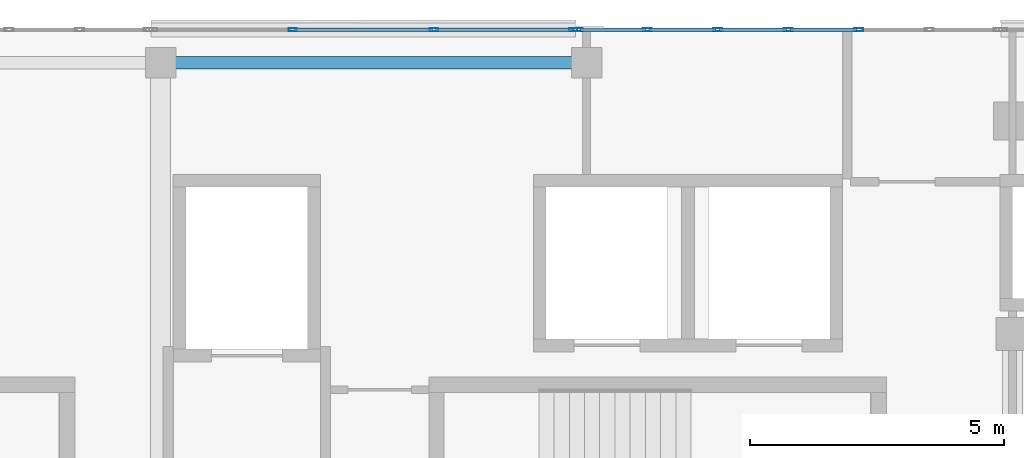
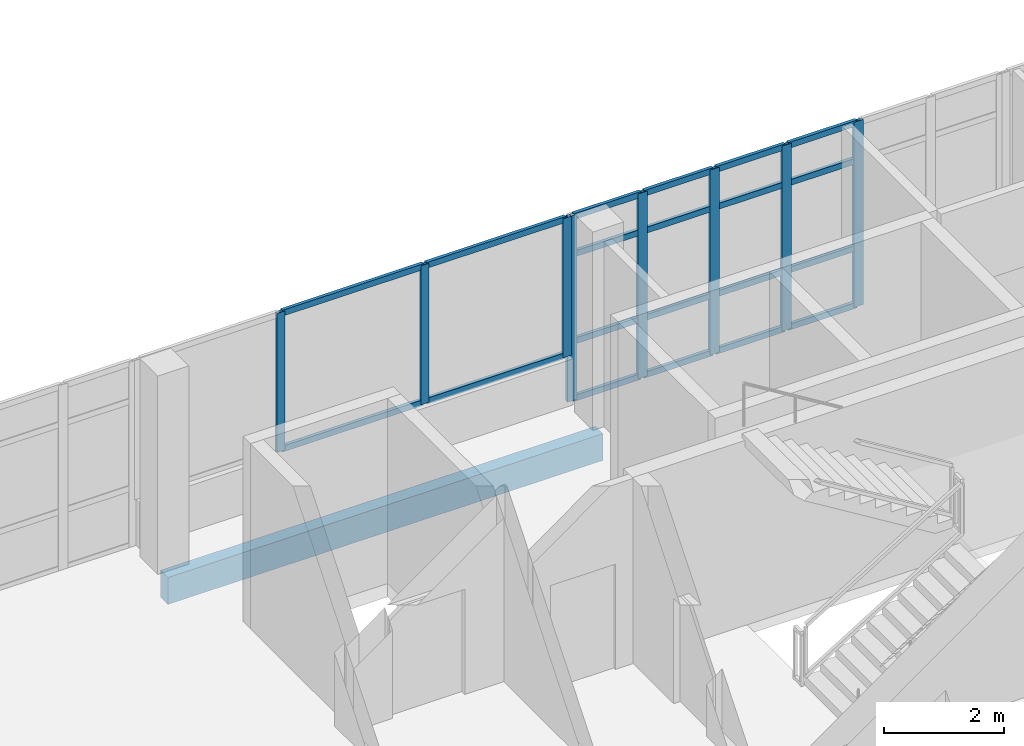
# One storey, part 39 of 76: 28 members, 1 beam, 2 elements without a shape of their own.
"""IFC4 building model written with IfcOpenShell, lengths in metres."""

from ifc_helpers import new_model, si_unit, direction, frame, origin, origin_2d, place, context, subcontext, project, spatial, rectangle, hollow_rectangle, extrude, material, material_profile, profile_set, type_object, element, aggregate, save


model = new_model("IFC4")

# Units and contexts
model_context = context("Model", 3, precision=1e-05, world=origin(), true_north=direction((0.0, 1.0)))
body_context = subcontext(model_context, "Body", "Model", "MODEL_VIEW")
ifc_project = project(units=[si_unit("LENGTHUNIT", "METRE"), si_unit("AREAUNIT", "SQUARE_METRE"), si_unit("VOLUMEUNIT", "CUBIC_METRE"), si_unit("PLANEANGLEUNIT", "RADIAN"), si_unit("MASSUNIT", "GRAM", prefix="KILO")], contexts=[model_context])

# Site, building, storey
site_placement = place(None, origin())
site = spatial("IfcSite", under=ifc_project, at=site_placement, CompositionType="ELEMENT")
building_placement = place(site_placement, origin())
building = spatial("IfcBuilding", under=site, at=building_placement, Name="Selatvlak General Hospital", CompositionType="ELEMENT")
storey_placement = place(building_placement, frame((0.0, 0.0, 27.300048828125)))
storey = spatial("IfcBuildingStorey", under=building, at=storey_placement, Name="L06", CompositionType="ELEMENT", Elevation=27.300048828125)

# Beam
ifc_material_1 = material(Name="Concrete C40/50", Category="concrete")
ifc_material_profile_1 = material_profile(ifc_material_1, rectangle(XDim=0.25, YDim=0.550048828125, at=origin_2d()), Name="RC-SP 250x550")
ifc_profile_set_1 = profile_set([ifc_material_profile_1], Name="Concrete C40/50")
beam_type = type_object("IfcBeamType", Name="BM-SP2", PredefinedType="SPANDREL", material=ifc_profile_set_1)
beam_placement = place(storey_placement, frame((98.39990234375, 119.35009765625, -0.550048828125), z_axis=(1.0, 0.0, 0.0), x_axis=(0.0, 1.0, 0.0)))
element("IfcBeam", 1, at=beam_placement, inside=storey, type_object=beam_type, Name="Beam BMR-L06-2237", PredefinedType="SPANDREL", context=body_context, shape_type="SweptSolid", body=[
    extrude(rectangle(XDim=0.25, YDim=0.550048828125, at=origin_2d()), origin(), (0.0, 0.0, 1.0), 8.400146484375),
])

# Curtain wall, members
ifc_material_2 = material(Name="Solar-control Low-E double glazing", Category="glass")
curtain_wall_type_1 = type_object("IfcCurtainWallType", Name="CW-CW-01", PredefinedType="USERDEFINED", material=ifc_material_2)
curtain_wall_1_placement = place(storey_placement, origin())
curtain_wall_1 = element("IfcCurtainWall", 2, at=curtain_wall_1_placement, inside=storey, type_object=curtain_wall_type_1, Name="Glazed facade curtain wall CW-L06-0607", ObjectType="UNITISED CURTAIN WALL", PredefinedType="USERDEFINED")
ifc_material_3 = material(Name="Dark anodised aluminium mullion", Category="aluminium")
ifc_material_profile_2 = material_profile(ifc_material_3, hollow_rectangle(XDim=0.06494140625, YDim=0.159912109375, WallThickness=0.00390625, at=origin_2d()), Name="AL-MUL 65x160x4")
ifc_profile_set_2 = profile_set([ifc_material_profile_2], Name="Dark anodised aluminium mullion")
member_type_1 = type_object("IfcMemberType", Name="CWM-01", PredefinedType="MULLION", material=ifc_profile_set_2)
member_1_placement = place(storey_placement, frame((101.008056640625, 119.999267578125, 0.93994140625), z_axis=(0.0, 0.0, 1.0), x_axis=(-0.000119774825, 0.999999992827, 0.0)))
member_1 = element("IfcMember", 3, at=member_1_placement, type_object=member_type_1, Name="CW-01 mullion 2", PredefinedType="MULLION", context=body_context, shape_type="SweptSolid", body=[
    extrude(hollow_rectangle(XDim=0.06494140625, YDim=0.159912109375, WallThickness=0.00390625, at=origin_2d()), origin(), (0.0, 0.0, 1.0), 2.840087890625),
])
member_2_placement = place(storey_placement, frame((103.791015625, 119.999755859375, 0.93994140625), z_axis=(0.0, 0.0, 1.0), x_axis=(-0.000119774825, 0.999999992827, 0.0)))
member_2 = element("IfcMember", 4, at=member_2_placement, type_object=member_type_1, Name="CW-01 mullion 3", PredefinedType="MULLION", context=body_context, shape_type="SweptSolid", body=[
    extrude(hollow_rectangle(XDim=0.06494140625, YDim=0.159912109375, WallThickness=0.00390625, at=origin_2d()), origin(), (0.0, 0.0, 1.0), 2.840087890625),
])
member_3_placement = place(storey_placement, frame((106.54150390625, 120.0, 0.93994140625), z_axis=(0.0, 0.0, 1.0), x_axis=(-0.000119774825, 0.999999992827, 0.0)))
member_3 = element("IfcMember", 5, at=member_3_placement, type_object=member_type_1, Name="CW-01 mullion 4", PredefinedType="MULLION", context=body_context, shape_type="SweptSolid", body=[
    extrude(hollow_rectangle(XDim=0.06494140625, YDim=0.159912109375, WallThickness=0.00390625, at=origin_2d()), origin(), (0.0, 0.0, 1.0), 2.840087890625),
])

curtain_wall_type_2 = type_object("IfcCurtainWallType", Name="CW-CW-04", PredefinedType="USERDEFINED", material=ifc_material_2)
curtain_wall_2_placement = place(storey_placement, origin())
curtain_wall_2 = element("IfcCurtainWall", 6, at=curtain_wall_2_placement, inside=storey, type_object=curtain_wall_type_2, Name="Glazed facade curtain wall CW-L06-0608", ObjectType="STICK GLAZING WALL", PredefinedType="USERDEFINED")
ifc_material_profile_3 = material_profile(ifc_material_3, hollow_rectangle(XDim=0.06494140625, YDim=0.179931640625, WallThickness=0.00439453125, at=origin_2d()), Name="AL-MUL 65x180x4.5")
ifc_profile_set_3 = profile_set([ifc_material_profile_3], Name="Dark anodised aluminium mullion")
member_type_2 = type_object("IfcMemberType", Name="CWM-02", PredefinedType="MULLION", material=ifc_profile_set_3)
member_4_placement = place(storey_placement, frame((106.636474609375, 120.0, 0.0), z_axis=(0.0, 0.0, 1.0), x_axis=(0.0, 1.0, 0.0)))
member_4 = element("IfcMember", 7, at=member_4_placement, type_object=member_type_2, Name="CW-04 mullion 1", PredefinedType="MULLION", context=body_context, shape_type="SweptSolid", body=[
    extrude(hollow_rectangle(XDim=0.06494140625, YDim=0.179931640625, WallThickness=0.00439453125, at=origin_2d()), origin(), (0.0, 0.0, 1.0), 3.780029296875),
])
member_5_placement = place(storey_placement, frame((107.99560546875, 120.0, 0.0), z_axis=(0.0, 0.0, 1.0), x_axis=(0.0, 1.0, 0.0)))
member_5 = element("IfcMember", 8, at=member_5_placement, type_object=member_type_2, Name="CW-04 mullion 2", PredefinedType="MULLION", context=body_context, shape_type="SweptSolid", body=[
    extrude(hollow_rectangle(XDim=0.06494140625, YDim=0.179931640625, WallThickness=0.00439453125, at=origin_2d()), origin(), (0.0, 0.0, 1.0), 3.780029296875),
])
member_6_placement = place(storey_placement, frame((109.386962890625, 120.0, 0.0), z_axis=(0.0, 0.0, 1.0), x_axis=(0.0, 1.0, 0.0)))
member_6 = element("IfcMember", 9, at=member_6_placement, type_object=member_type_2, Name="CW-04 mullion 3", PredefinedType="MULLION", context=body_context, shape_type="SweptSolid", body=[
    extrude(hollow_rectangle(XDim=0.06494140625, YDim=0.179931640625, WallThickness=0.00439453125, at=origin_2d()), origin(), (0.0, 0.0, 1.0), 3.780029296875),
])
member_7_placement = place(storey_placement, frame((110.778564453125, 120.0, 0.0), z_axis=(0.0, 0.0, 1.0), x_axis=(0.0, 1.0, 0.0)))
member_7 = element("IfcMember", 10, at=member_7_placement, type_object=member_type_2, Name="CW-04 mullion 4", PredefinedType="MULLION", context=body_context, shape_type="SweptSolid", body=[
    extrude(hollow_rectangle(XDim=0.06494140625, YDim=0.179931640625, WallThickness=0.00439453125, at=origin_2d()), origin(), (0.0, 0.0, 1.0), 3.780029296875),
])
member_8_placement = place(storey_placement, frame((112.169921875, 120.0, 0.0), z_axis=(0.0, 0.0, 1.0), x_axis=(0.0, 1.0, 0.0)))
member_8 = element("IfcMember", 11, at=member_8_placement, type_object=member_type_2, Name="CW-04 mullion 5", PredefinedType="MULLION", context=body_context, shape_type="SweptSolid", body=[
    extrude(hollow_rectangle(XDim=0.06494140625, YDim=0.179931640625, WallThickness=0.00439453125, at=origin_2d()), origin(), (0.0, 0.0, 1.0), 3.780029296875),
])

# Member
ifc_material_profile_4 = material_profile(ifc_material_3, hollow_rectangle(XDim=0.06494140625, YDim=0.1201171875, WallThickness=0.00390625, at=origin_2d()), Name="AL-TRN 65x120x4")
ifc_profile_set_4 = profile_set([ifc_material_profile_4], Name="Dark anodised aluminium mullion")
member_type_3 = type_object("IfcMemberType", Name="CWT-01", PredefinedType="USERDEFINED", material=ifc_profile_set_4)
member_9_placement = place(storey_placement, frame((101.04052734375, 119.999267578125, 0.972412109375), z_axis=(0.999999983864, 0.000179646094, 0.0), x_axis=(-0.000179646094, 0.999999983864, 0.0)))
member_9 = element("IfcMember", 12, at=member_9_placement, type_object=member_type_3, Name="CW-01 transom 2.1", ObjectType="TRANSOM", PredefinedType="USERDEFINED", context=body_context, shape_type="SweptSolid", body=[
    extrude(hollow_rectangle(XDim=0.06494140625, YDim=0.1201171875, WallThickness=0.00390625, at=origin_2d()), origin(), (0.0, 0.0, 1.0), 2.718017578125),
])

member_10_placement = place(storey_placement, frame((101.04052734375, 119.999267578125, 3.74755859375), z_axis=(0.999999983864, 0.000179646094, 0.0), x_axis=(-0.000179646094, 0.999999983864, 0.0)))
member_10 = element("IfcMember", 13, at=member_10_placement, type_object=member_type_3, Name="CW-01 transom 2.2", ObjectType="TRANSOM", PredefinedType="USERDEFINED", context=body_context, shape_type="SweptSolid", body=[
    extrude(hollow_rectangle(XDim=0.06494140625, YDim=0.1201171875, WallThickness=0.00390625, at=origin_2d()), origin(), (0.0, 0.0, 1.0), 2.718017578125),
])

member_11_placement = place(storey_placement, frame((103.823486328125, 119.999755859375, 0.972412109375), z_axis=(0.999999995868, 9.0909091e-05, 0.0), x_axis=(-9.0909091e-05, 0.999999995868, 0.0)))
member_11 = element("IfcMember", 14, at=member_11_placement, type_object=member_type_3, Name="CW-01 transom 3.1", ObjectType="TRANSOM", PredefinedType="USERDEFINED", context=body_context, shape_type="SweptSolid", body=[
    extrude(hollow_rectangle(XDim=0.06494140625, YDim=0.1201171875, WallThickness=0.00390625, at=origin_2d()), origin(), (0.0, 0.0, 1.0), 2.685546875),
])

member_12_placement = place(storey_placement, frame((103.823486328125, 119.999755859375, 3.74755859375), z_axis=(0.999999995868, 9.0909091e-05, 0.0), x_axis=(-9.0909091e-05, 0.999999995868, 0.0)))
member_12 = element("IfcMember", 15, at=member_12_placement, type_object=member_type_3, Name="CW-01 transom 3.2", ObjectType="TRANSOM", PredefinedType="USERDEFINED", context=body_context, shape_type="SweptSolid", body=[
    extrude(hollow_rectangle(XDim=0.06494140625, YDim=0.1201171875, WallThickness=0.00390625, at=origin_2d()), origin(), (0.0, 0.0, 1.0), 2.685546875),
])

aggregate(curtain_wall_1, [member_1, member_2, member_3, member_9, member_10, member_11, member_12])

member_13_placement = place(storey_placement, frame((106.6689453125, 120.0, 0.032470703125), z_axis=(1.0, 0.0, 0.0), x_axis=(0.0, 1.0, 0.0)))
member_13 = element("IfcMember", 16, at=member_13_placement, type_object=member_type_3, Name="CW-04 transom 1.1", ObjectType="TRANSOM", PredefinedType="USERDEFINED", context=body_context, shape_type="SweptSolid", body=[
    extrude(hollow_rectangle(XDim=0.06494140625, YDim=0.1201171875, WallThickness=0.00390625, at=origin_2d()), origin(), (0.0, 0.0, 1.0), 1.2939453125),
])

member_14_placement = place(storey_placement, frame((106.6689453125, 120.0, 1.199951171875), z_axis=(1.0, 0.0, 0.0), x_axis=(0.0, 1.0, 0.0)))
member_14 = element("IfcMember", 17, at=member_14_placement, type_object=member_type_3, Name="CW-04 transom 1.2", ObjectType="TRANSOM", PredefinedType="USERDEFINED", context=body_context, shape_type="SweptSolid", body=[
    extrude(hollow_rectangle(XDim=0.06494140625, YDim=0.1201171875, WallThickness=0.00390625, at=origin_2d()), origin(), (0.0, 0.0, 1.0), 1.2939453125),
])

member_15_placement = place(storey_placement, frame((106.6689453125, 120.0, 2.97998046875), z_axis=(1.0, 0.0, 0.0), x_axis=(0.0, 1.0, 0.0)))
member_15 = element("IfcMember", 18, at=member_15_placement, type_object=member_type_3, Name="CW-04 transom 1.3", ObjectType="TRANSOM", PredefinedType="USERDEFINED", context=body_context, shape_type="SweptSolid", body=[
    extrude(hollow_rectangle(XDim=0.06494140625, YDim=0.1201171875, WallThickness=0.00390625, at=origin_2d()), origin(), (0.0, 0.0, 1.0), 1.2939453125),
])

member_16_placement = place(storey_placement, frame((106.6689453125, 120.0, 3.74755859375), z_axis=(1.0, 0.0, 0.0), x_axis=(0.0, 1.0, 0.0)))
member_16 = element("IfcMember", 19, at=member_16_placement, type_object=member_type_3, Name="CW-04 transom 1.4", ObjectType="TRANSOM", PredefinedType="USERDEFINED", context=body_context, shape_type="SweptSolid", body=[
    extrude(hollow_rectangle(XDim=0.06494140625, YDim=0.1201171875, WallThickness=0.00390625, at=origin_2d()), origin(), (0.0, 0.0, 1.0), 1.2939453125),
])

member_17_placement = place(storey_placement, frame((108.028076171875, 120.0, 0.032470703125), z_axis=(1.0, 0.0, 0.0), x_axis=(0.0, 1.0, 0.0)))
member_17 = element("IfcMember", 20, at=member_17_placement, type_object=member_type_3, Name="CW-04 transom 2.1", ObjectType="TRANSOM", PredefinedType="USERDEFINED", context=body_context, shape_type="SweptSolid", body=[
    extrude(hollow_rectangle(XDim=0.06494140625, YDim=0.1201171875, WallThickness=0.00390625, at=origin_2d()), origin(), (0.0, 0.0, 1.0), 1.326416015625),
])

member_18_placement = place(storey_placement, frame((108.028076171875, 120.0, 1.199951171875), z_axis=(1.0, 0.0, 0.0), x_axis=(0.0, 1.0, 0.0)))
member_18 = element("IfcMember", 21, at=member_18_placement, type_object=member_type_3, Name="CW-04 transom 2.2", ObjectType="TRANSOM", PredefinedType="USERDEFINED", context=body_context, shape_type="SweptSolid", body=[
    extrude(hollow_rectangle(XDim=0.06494140625, YDim=0.1201171875, WallThickness=0.00390625, at=origin_2d()), origin(), (0.0, 0.0, 1.0), 1.326416015625),
])

member_19_placement = place(storey_placement, frame((108.028076171875, 120.0, 2.97998046875), z_axis=(1.0, 0.0, 0.0), x_axis=(0.0, 1.0, 0.0)))
member_19 = element("IfcMember", 22, at=member_19_placement, type_object=member_type_3, Name="CW-04 transom 2.3", ObjectType="TRANSOM", PredefinedType="USERDEFINED", context=body_context, shape_type="SweptSolid", body=[
    extrude(hollow_rectangle(XDim=0.06494140625, YDim=0.1201171875, WallThickness=0.00390625, at=origin_2d()), origin(), (0.0, 0.0, 1.0), 1.326416015625),
])

member_20_placement = place(storey_placement, frame((108.028076171875, 120.0, 3.74755859375), z_axis=(1.0, 0.0, 0.0), x_axis=(0.0, 1.0, 0.0)))
member_20 = element("IfcMember", 23, at=member_20_placement, type_object=member_type_3, Name="CW-04 transom 2.4", ObjectType="TRANSOM", PredefinedType="USERDEFINED", context=body_context, shape_type="SweptSolid", body=[
    extrude(hollow_rectangle(XDim=0.06494140625, YDim=0.1201171875, WallThickness=0.00390625, at=origin_2d()), origin(), (0.0, 0.0, 1.0), 1.326416015625),
])

member_21_placement = place(storey_placement, frame((109.41943359375, 120.0, 0.032470703125), z_axis=(1.0, 0.0, 0.0), x_axis=(0.0, 1.0, 0.0)))
member_21 = element("IfcMember", 24, at=member_21_placement, type_object=member_type_3, Name="CW-04 transom 3.1", ObjectType="TRANSOM", PredefinedType="USERDEFINED", context=body_context, shape_type="SweptSolid", body=[
    extrude(hollow_rectangle(XDim=0.06494140625, YDim=0.1201171875, WallThickness=0.00390625, at=origin_2d()), origin(), (0.0, 0.0, 1.0), 1.32666015625),
])

member_22_placement = place(storey_placement, frame((109.41943359375, 120.0, 1.199951171875), z_axis=(1.0, 0.0, 0.0), x_axis=(0.0, 1.0, 0.0)))
member_22 = element("IfcMember", 25, at=member_22_placement, type_object=member_type_3, Name="CW-04 transom 3.2", ObjectType="TRANSOM", PredefinedType="USERDEFINED", context=body_context, shape_type="SweptSolid", body=[
    extrude(hollow_rectangle(XDim=0.06494140625, YDim=0.1201171875, WallThickness=0.00390625, at=origin_2d()), origin(), (0.0, 0.0, 1.0), 1.32666015625),
])

member_23_placement = place(storey_placement, frame((109.41943359375, 120.0, 2.97998046875), z_axis=(1.0, 0.0, 0.0), x_axis=(0.0, 1.0, 0.0)))
member_23 = element("IfcMember", 26, at=member_23_placement, type_object=member_type_3, Name="CW-04 transom 3.3", ObjectType="TRANSOM", PredefinedType="USERDEFINED", context=body_context, shape_type="SweptSolid", body=[
    extrude(hollow_rectangle(XDim=0.06494140625, YDim=0.1201171875, WallThickness=0.00390625, at=origin_2d()), origin(), (0.0, 0.0, 1.0), 1.32666015625),
])

member_24_placement = place(storey_placement, frame((109.41943359375, 120.0, 3.74755859375), z_axis=(1.0, 0.0, 0.0), x_axis=(0.0, 1.0, 0.0)))
member_24 = element("IfcMember", 27, at=member_24_placement, type_object=member_type_3, Name="CW-04 transom 3.4", ObjectType="TRANSOM", PredefinedType="USERDEFINED", context=body_context, shape_type="SweptSolid", body=[
    extrude(hollow_rectangle(XDim=0.06494140625, YDim=0.1201171875, WallThickness=0.00390625, at=origin_2d()), origin(), (0.0, 0.0, 1.0), 1.32666015625),
])

member_25_placement = place(storey_placement, frame((110.81103515625, 120.0, 0.032470703125), z_axis=(1.0, 0.0, 0.0), x_axis=(0.0, 1.0, 0.0)))
member_25 = element("IfcMember", 28, at=member_25_placement, type_object=member_type_3, Name="CW-04 transom 4.1", ObjectType="TRANSOM", PredefinedType="USERDEFINED", context=body_context, shape_type="SweptSolid", body=[
    extrude(hollow_rectangle(XDim=0.06494140625, YDim=0.1201171875, WallThickness=0.00390625, at=origin_2d()), origin(), (0.0, 0.0, 1.0), 1.326416015625),
])

member_26_placement = place(storey_placement, frame((110.81103515625, 120.0, 1.199951171875), z_axis=(1.0, 0.0, 0.0), x_axis=(0.0, 1.0, 0.0)))
member_26 = element("IfcMember", 29, at=member_26_placement, type_object=member_type_3, Name="CW-04 transom 4.2", ObjectType="TRANSOM", PredefinedType="USERDEFINED", context=body_context, shape_type="SweptSolid", body=[
    extrude(hollow_rectangle(XDim=0.06494140625, YDim=0.1201171875, WallThickness=0.00390625, at=origin_2d()), origin(), (0.0, 0.0, 1.0), 1.326416015625),
])

member_27_placement = place(storey_placement, frame((110.81103515625, 120.0, 2.97998046875), z_axis=(1.0, 0.0, 0.0), x_axis=(0.0, 1.0, 0.0)))
member_27 = element("IfcMember", 30, at=member_27_placement, type_object=member_type_3, Name="CW-04 transom 4.3", ObjectType="TRANSOM", PredefinedType="USERDEFINED", context=body_context, shape_type="SweptSolid", body=[
    extrude(hollow_rectangle(XDim=0.06494140625, YDim=0.1201171875, WallThickness=0.00390625, at=origin_2d()), origin(), (0.0, 0.0, 1.0), 1.326416015625),
])

member_28_placement = place(storey_placement, frame((110.81103515625, 120.0, 3.74755859375), z_axis=(1.0, 0.0, 0.0), x_axis=(0.0, 1.0, 0.0)))
member_28 = element("IfcMember", 31, at=member_28_placement, type_object=member_type_3, Name="CW-04 transom 4.4", ObjectType="TRANSOM", PredefinedType="USERDEFINED", context=body_context, shape_type="SweptSolid", body=[
    extrude(hollow_rectangle(XDim=0.06494140625, YDim=0.1201171875, WallThickness=0.00390625, at=origin_2d()), origin(), (0.0, 0.0, 1.0), 1.326416015625),
])

aggregate(curtain_wall_2, [member_4, member_5, member_6, member_7, member_8, member_13, member_14, member_15, member_16, member_17, member_18, member_19, member_20, member_21, member_22, member_23, member_24, member_25, member_26, member_27, member_28])

save(model, "model.ifc")
